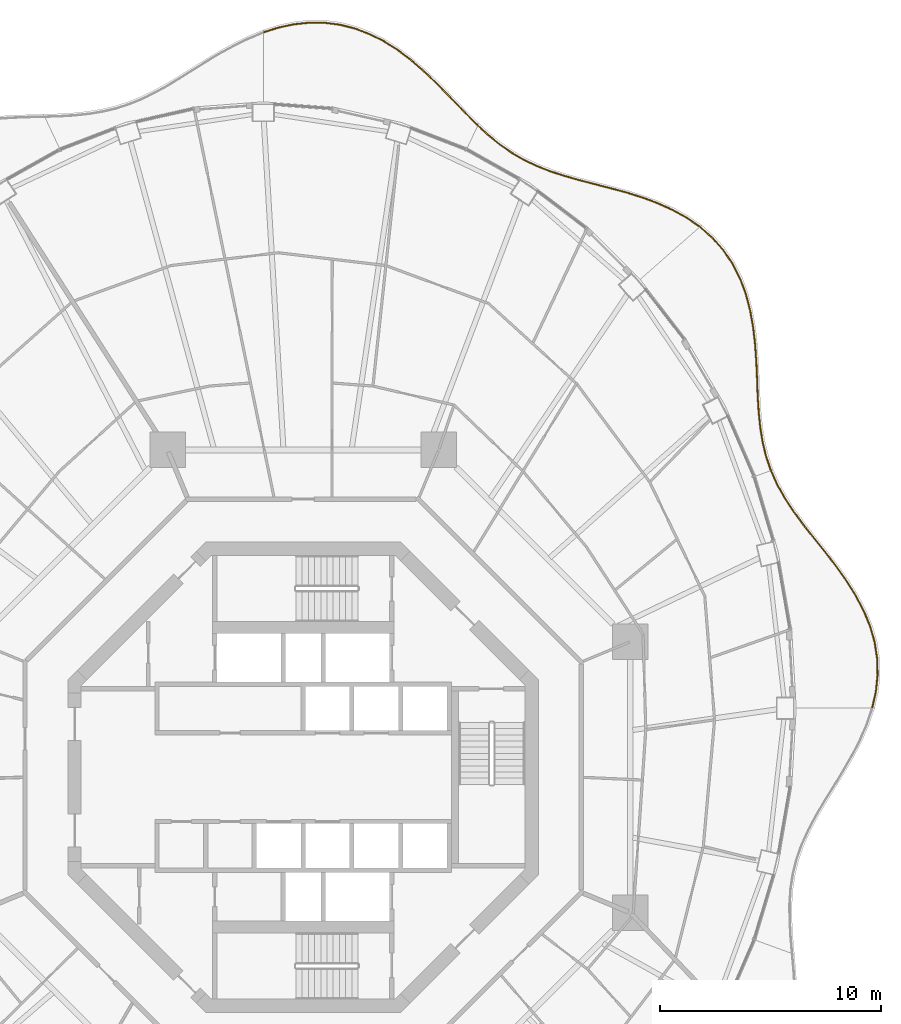
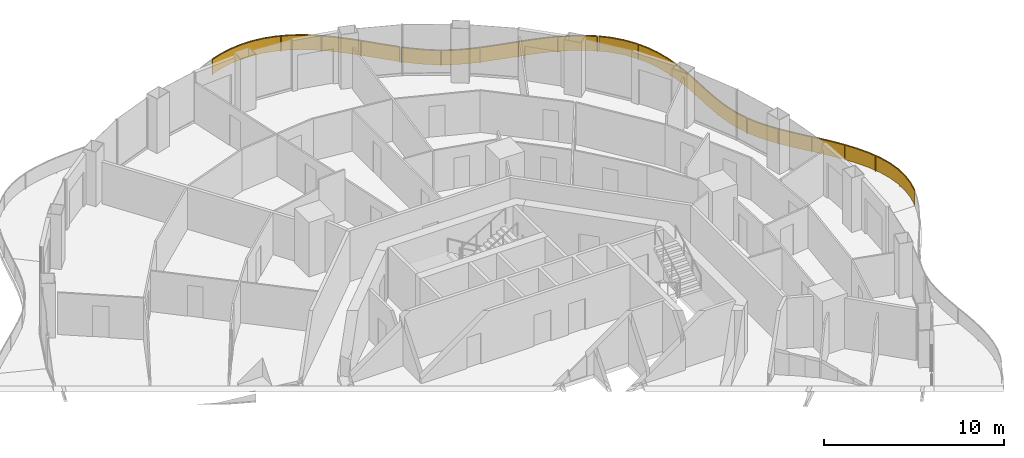
# One storey, part 18 of 18: 4 railings.
"""IFC4 building model written with IfcOpenShell, lengths in metres."""

from ifc_helpers import new_model, si_unit, direction, frame, origin, origin_2d, place, context, subcontext, project, spatial, polyline, rectangle, outline, extrude, material, type_object, element, save


model = new_model("IFC4")

# Units and contexts
model_context = context("Model", 3, precision=1e-05, world=origin(), true_north=direction((0.0, 1.0)))
body_context = subcontext(model_context, "Body", "Model", "MODEL_VIEW")
ifc_project = project(units=[si_unit("LENGTHUNIT", "METRE"), si_unit("AREAUNIT", "SQUARE_METRE"), si_unit("VOLUMEUNIT", "CUBIC_METRE"), si_unit("PLANEANGLEUNIT", "RADIAN"), si_unit("MASSUNIT", "GRAM", prefix="KILO")], contexts=[model_context])

# Site, building, storey
site_placement = place(None, origin())
site = spatial("IfcSite", under=ifc_project, at=site_placement, CompositionType="ELEMENT")
building_placement = place(site_placement, origin())
building = spatial("IfcBuilding", under=site, at=building_placement, Name="Nagisa Residences", CompositionType="ELEMENT")
storey_placement = place(building_placement, frame((0.0, 0.0, 238.10009765625)))
storey = spatial("IfcBuildingStorey", under=building, at=storey_placement, Name="L60", CompositionType="ELEMENT", Elevation=238.10009765625)

# Railings
ifc_material = material(Name="Stainless steel 316", Category="steel")
railing_type = type_object("IfcRailingType", Name="BALCONY GUARD 1100", PredefinedType="BALUSTRADE", material=ifc_material)
railing_1_placement = place(storey_placement, frame((25.706787109375, 3.155517578125, 0.0)))
element("IfcRailing", 1, at=railing_1_placement, inside=storey, type_object=railing_type, Name="guard:L60:bal00-0", PredefinedType="BALUSTRADE", context=body_context, shape_type="SweptSolid", body=[
    extrude(outline(polyline([(0.135009765625, 0.707763671875), (-0.0244140625, 0.005615234375), (0.0244140625, -0.005615234375), (0.184326171875, 0.699462890625), (0.262451171875, 1.454833984375), (0.24365234375, 2.208984375), (0.127197265625, 2.955810546875), (-0.0830078125, 3.690673828125), (-0.376953125, 4.394287109375), (-0.746337890625, 5.091552734375), (-1.173583984375, 5.76708984375), (-1.64111328125, 6.4208984375), (-2.13037109375, 7.05517578125), (-2.61865234375, 7.658935546875), (-3.093994140625, 8.265380859375), (-3.537353515625, 8.866943359375), (-3.935302734375, 9.469970703125), (-4.278076171875, 10.082275390625), (-4.5439453125, 10.67333984375), (-4.58935546875, 10.65283203125), (-4.322998046875, 10.059814453125), (-3.978271484375, 9.444091796875), (-3.578369140625, 8.838134765625), (-3.134033203125, 8.235107421875), (-2.65771484375, 7.627685546875), (-2.16943359375, 7.02392578125), (-1.68115234375, 6.39111328125), (-1.215087890625, 5.7392578125), (-0.789794921875, 5.066650390625), (-0.42236328125, 4.372802734375), (-0.13037109375, 3.674072265625), (0.078369140625, 2.945068359375), (0.19384765625, 2.20458984375), (0.212158203125, 1.456787109375), (0.135009765625, 0.707763671875)])), frame((0.0, 0.0, 1.050048828125)), (0.0, 0.0, 1.0), 0.050048828125),
    extrude(outline(polyline([(0.15283203125, 0.704833984375), (-0.0068359375, 0.00146484375), (0.0068359375, -0.00146484375), (0.16650390625, 0.702392578125), (0.244384765625, 1.45556640625), (0.225830078125, 2.20751953125), (0.109619140625, 2.951904296875), (-0.10009765625, 3.684814453125), (-0.393310546875, 4.386474609375), (-0.761962890625, 5.08251953125), (-1.1884765625, 5.757080078125), (-1.655517578125, 6.41015625), (-2.144287109375, 7.0439453125), (-2.6328125, 7.647705078125), (-3.1083984375, 8.25439453125), (-3.552001953125, 8.8564453125), (-3.95068359375, 9.460693359375), (-4.294189453125, 10.07421875), (-4.560302734375, 10.666015625), (-4.572998046875, 10.66015625), (-4.306884765625, 10.06787109375), (-3.962890625, 9.453369140625), (-3.563720703125, 8.8486328125), (-3.11962890625, 8.24609375), (-2.6435546875, 7.638916015625), (-2.155517578125, 7.03515625), (-1.666748046875, 6.40185546875), (-1.2001953125, 5.749267578125), (-0.774169921875, 5.07568359375), (-0.406005859375, 4.380615234375), (-0.11328125, 3.679931640625), (0.095947265625, 2.948974609375), (0.211669921875, 2.2060546875), (0.230224609375, 1.4560546875), (0.15283203125, 0.704833984375)])), frame((0.0, 0.0, 0.06005859375)), (0.0, 0.0, 1.0), 0.989990234375),
    extrude(rectangle(XDim=0.0400390625, YDim=0.0400390625, at=origin_2d()), origin(), (0.0, 0.0, 1.0), 1.050048828125),
    extrude(rectangle(XDim=0.0400390625, YDim=0.0400390625, at=origin_2d()), frame((0.22412109375, 1.988525390625, 0.0)), (0.0, 0.0, 1.0), 1.050048828125),
    extrude(rectangle(XDim=0.0400390625, YDim=0.0400390625, at=origin_2d()), frame((-0.2138671875, 3.93896484375, 0.0)), (0.0, 0.0, 1.0), 1.050048828125),
    extrude(rectangle(XDim=0.0400390625, YDim=0.0400390625, at=origin_2d()), frame((-1.16455078125, 5.7060546875, 0.0)), (0.0, 0.0, 1.0), 1.050048828125),
    extrude(rectangle(XDim=0.0400390625, YDim=0.0400390625, at=origin_2d()), frame((-2.37109375, 7.313232421875, 0.0)), (0.0, 0.0, 1.0), 1.050048828125),
    extrude(rectangle(XDim=0.0400390625, YDim=0.0400390625, at=origin_2d()), frame((-3.594482421875, 8.907958984375, 0.0)), (0.0, 0.0, 1.0), 1.050048828125),
    extrude(rectangle(XDim=0.0400390625, YDim=0.0400390625, at=origin_2d()), frame((-4.566650390625, 10.6630859375, 0.0)), (0.0, 0.0, 1.0), 1.050048828125),
])
railing_2_placement = place(storey_placement, frame((21.11474609375, 13.88232421875, 0.0)))
element("IfcRailing", 2, at=railing_2_placement, inside=storey, type_object=railing_type, Name="guard:L60:bal01-0", PredefinedType="BALUSTRADE", context=body_context, shape_type="SweptSolid", body=[
    extrude(outline(polyline([(-0.225830078125, 0.5849609375), (-0.023681640625, -0.008056640625), (0.023681640625, 0.008056640625), (-0.177490234375, 0.59912109375), (-0.33642578125, 1.2529296875), (-0.446533203125, 1.93408203125), (-0.517822265625, 2.642578125), (-0.562255859375, 3.377197265625), (-0.587646484375, 4.12060546875), (-0.623291015625, 4.89306640625), (-0.67822265625, 5.673095703125), (-0.76806640625, 6.4521484375), (-0.90625, 7.21923828125), (-1.096923828125, 7.9521484375), (-1.364013671875, 8.662353515625), (-1.70654296875, 9.330322265625), (-2.125732421875, 9.94677734375), (-2.6201171875, 10.5048828125), (-3.1494140625, 10.96875), (-3.1826171875, 10.93115234375), (-2.6552734375, 10.46923828125), (-2.165283203125, 9.916015625), (-1.74951171875, 9.304931640625), (-1.409912109375, 8.641845703125), (-1.144775390625, 7.93701171875), (-0.955078125, 7.20849609375), (-0.8173828125, 6.44482421875), (-0.72802734375, 5.668701171875), (-0.673095703125, 4.89013671875), (-0.637451171875, 4.11865234375), (-0.612060546875, 3.374755859375), (-0.567626953125, 2.638671875), (-0.496337890625, 1.927734375), (-0.3857421875, 1.2431640625), (-0.225830078125, 0.5849609375)])), frame((0.0, 0.0, 1.050048828125)), (0.0, 0.0, 1.0), 0.050048828125),
    extrude(outline(polyline([(-0.20849609375, 0.590087890625), (-0.006591796875, -0.002197265625), (0.006591796875, 0.002197265625), (-0.19482421875, 0.593994140625), (-0.354248046875, 1.24951171875), (-0.464599609375, 1.931884765625), (-0.53564453125, 2.64111328125), (-0.580078125, 3.376220703125), (-0.60546875, 4.119873046875), (-0.64111328125, 4.89208984375), (-0.696044921875, 5.671630859375), (-0.785888671875, 6.449462890625), (-0.923828125, 7.21533203125), (-1.1142578125, 7.94677734375), (-1.380615234375, 8.655029296875), (-1.721923828125, 9.3212890625), (-2.139892578125, 9.935791015625), (-2.6328125, 10.491943359375), (-3.161376953125, 10.955322265625), (-3.170654296875, 10.944580078125), (-2.642578125, 10.482177734375), (-2.151123046875, 9.927001953125), (-1.734130859375, 9.31396484375), (-1.393310546875, 8.649169921875), (-1.12744140625, 7.9423828125), (-0.9375, 7.21240234375), (-0.799560546875, 6.447509765625), (-0.710205078125, 5.670166015625), (-0.6552734375, 4.89111328125), (-0.61962890625, 4.119384765625), (-0.59423828125, 3.375732421875), (-0.5498046875, 2.64013671875), (-0.478271484375, 1.929931640625), (-0.367919921875, 1.24658203125), (-0.20849609375, 0.590087890625)])), frame((0.0, 0.0, 0.06005859375)), (0.0, 0.0, 1.0), 0.989990234375),
    extrude(rectangle(XDim=0.0400390625, YDim=0.0400390625, at=origin_2d()), origin(), (0.0, 0.0, 1.0), 1.050048828125),
    extrude(rectangle(XDim=0.0400390625, YDim=0.0400390625, at=origin_2d()), frame((-0.507080078125, 2.2861328125, 0.0)), (0.0, 0.0, 1.0), 1.050048828125),
    extrude(rectangle(XDim=0.0400390625, YDim=0.0400390625, at=origin_2d()), frame((-0.63623046875, 4.63134765625, 0.0)), (0.0, 0.0, 1.0), 1.050048828125),
    extrude(rectangle(XDim=0.0400390625, YDim=0.0400390625, at=origin_2d()), frame((-0.8857421875, 6.965087890625, 0.0)), (0.0, 0.0, 1.0), 1.050048828125),
    extrude(rectangle(XDim=0.0400390625, YDim=0.0400390625, at=origin_2d()), frame((-1.654052734375, 9.173095703125, 0.0)), (0.0, 0.0, 1.0), 1.050048828125),
    extrude(rectangle(XDim=0.0400390625, YDim=0.0400390625, at=origin_2d()), frame((-3.166015625, 10.949951171875, 0.0)), (0.0, 0.0, 1.0), 1.050048828125),
])
railing_3_placement = place(storey_placement, frame((17.8876953125, 24.879638671875, 0.0)))
element("IfcRailing", 3, at=railing_3_placement, inside=storey, type_object=railing_type, Name="guard:L60:bal02-0", PredefinedType="BALUSTRADE", context=body_context, shape_type="SweptSolid", body=[
    extrude(outline(polyline([(-0.56982421875, 0.36376953125), (-0.01416015625, -0.0205078125), (0.01416015625, 0.0205078125), (-0.54345703125, 0.40625), (-1.186767578125, 0.764892578125), (-1.86669921875, 1.07177734375), (-2.572265625, 1.333740234375), (-3.291259765625, 1.55908203125), (-4.00048828125, 1.748046875), (-4.71337890625, 1.932373046875), (-5.409423828125, 2.114013671875), (-6.0810546875, 2.30419921875), (-6.72412109375, 2.514892578125), (-7.321533203125, 2.745849609375), (-7.90185546875, 3.02392578125), (-8.45361328125, 3.3447265625), (-8.980712890625, 3.712158203125), (-9.489990234375, 4.125), (-9.955078125, 4.55126953125), (-9.98876953125, 4.51416015625), (-9.522705078125, 4.0869140625), (-9.010986328125, 3.672119140625), (-8.48046875, 3.302734375), (-7.92529296875, 2.9794921875), (-7.341552734375, 2.699951171875), (-6.74072265625, 2.467529296875), (-6.095703125, 2.25634765625), (-5.422607421875, 2.065673828125), (-4.72607421875, 1.884033203125), (-4.01318359375, 1.69970703125), (-3.305419921875, 1.51123046875), (-2.58837890625, 1.286376953125), (-1.8857421875, 1.025390625), (-1.209228515625, 0.719970703125), (-0.56982421875, 0.36376953125)])), frame((0.0, 0.0, 1.050048828125)), (0.0, 0.0, 1.0), 0.050048828125),
    extrude(outline(polyline([(-0.560302734375, 0.379150390625), (-0.00390625, -0.005859375), (0.00390625, 0.005859375), (-0.552978515625, 0.390869140625), (-1.19482421875, 0.748779296875), (-1.87353515625, 1.05517578125), (-2.578125, 1.316650390625), (-3.29638671875, 1.5419921875), (-4.005126953125, 1.730712890625), (-4.718017578125, 1.9150390625), (-5.4140625, 2.0966796875), (-6.08642578125, 2.286865234375), (-6.72998046875, 2.497802734375), (-7.328857421875, 2.729248046875), (-7.910400390625, 3.0078125), (-8.46337890625, 3.32958984375), (-8.99169921875, 3.69775390625), (-9.501708984375, 4.111328125), (-9.96728515625, 4.537841796875), (-9.9765625, 4.527587890625), (-9.510986328125, 4.1005859375), (-9.0, 3.6865234375), (-8.470703125, 3.31787109375), (-7.916748046875, 2.99560546875), (-7.334228515625, 2.716552734375), (-6.73486328125, 2.484619140625), (-6.09033203125, 2.273681640625), (-5.41796875, 2.0830078125), (-4.721435546875, 1.9013671875), (-4.008544921875, 1.717041015625), (-3.30029296875, 1.5283203125), (-2.58251953125, 1.303466796875), (-1.87890625, 1.0419921875), (-1.201171875, 0.736083984375), (-0.560302734375, 0.379150390625)])), frame((0.0, 0.0, 0.06005859375)), (0.0, 0.0, 1.0), 0.989990234375),
    extrude(rectangle(XDim=0.0400390625, YDim=0.0400390625, at=origin_2d()), origin(), (0.0, 0.0, 1.0), 1.050048828125),
    extrude(rectangle(XDim=0.0400390625, YDim=0.0400390625, at=origin_2d()), frame((-1.934326171875, 1.070068359375, 0.0)), (0.0, 0.0, 1.0), 1.050048828125),
    extrude(rectangle(XDim=0.0400390625, YDim=0.0400390625, at=origin_2d()), frame((-4.0478515625, 1.734375, 0.0)), (0.0, 0.0, 1.0), 1.050048828125),
    extrude(rectangle(XDim=0.0400390625, YDim=0.0400390625, at=origin_2d()), frame((-6.18798828125, 2.31298828125, 0.0)), (0.0, 0.0, 1.0), 1.050048828125),
    extrude(rectangle(XDim=0.0400390625, YDim=0.0400390625, at=origin_2d()), frame((-8.2216796875, 3.180908203125, 0.0)), (0.0, 0.0, 1.0), 1.050048828125),
    extrude(rectangle(XDim=0.0400390625, YDim=0.0400390625, at=origin_2d()), frame((-9.971923828125, 4.53271484375, 0.0)), (0.0, 0.0, 1.0), 1.050048828125),
])
railing_4_placement = place(storey_placement, frame((7.864501953125, 29.46435546875, 0.0)))
element("IfcRailing", 4, at=railing_4_placement, inside=storey, type_object=railing_type, Name="guard:L60:bal03-0", PredefinedType="BALUSTRADE", context=body_context, shape_type="SweptSolid", body=[
    extrude(outline(polyline([(-0.462890625, 0.425537109375), (-0.017578125, -0.017822265625), (0.017578125, 0.017822265625), (-0.42724609375, 0.460693359375), (-0.908935546875, 0.9580078125), (-1.40234375, 1.469970703125), (-1.912841796875, 1.984130859375), (-2.44580078125, 2.487060546875), (-2.98779296875, 2.96044921875), (-3.574951171875, 3.400390625), (-4.18994140625, 3.7890625), (-4.83203125, 4.115234375), (-5.498046875, 4.369384765625), (-6.16796875, 4.542236328125), (-6.865478515625, 4.634033203125), (-7.572998046875, 4.642578125), (-8.281982421875, 4.56884765625), (-8.98681640625, 4.418701171875), (-9.63525390625, 4.2119140625), (-9.6201171875, 4.1640625), (-8.97412109375, 4.370361328125), (-8.274169921875, 4.51953125), (-7.570556640625, 4.59228515625), (-6.868896484375, 4.584228515625), (-6.177734375, 4.492919921875), (-5.51318359375, 4.321533203125), (-4.8525390625, 4.0693359375), (-4.21484375, 3.74560546875), (-3.603271484375, 3.359375), (-3.01953125, 2.92138671875), (-2.4794921875, 2.449951171875), (-1.947998046875, 1.948486328125), (-1.43798828125, 1.434814453125), (-0.945068359375, 0.92333984375), (-0.462890625, 0.425537109375)])), frame((0.0, 0.0, 1.050048828125)), (0.0, 0.0, 1.0), 0.050048828125),
    extrude(outline(polyline([(-0.449951171875, 0.438232421875), (-0.0048828125, -0.0048828125), (0.0048828125, 0.0048828125), (-0.440185546875, 0.447998046875), (-0.921875, 0.945556640625), (-1.415283203125, 1.457275390625), (-1.925537109375, 1.971435546875), (-2.4580078125, 2.4736328125), (-2.999267578125, 2.9462890625), (-3.585205078125, 3.3857421875), (-4.198974609375, 3.7734375), (-4.83935546875, 4.0986328125), (-5.50341796875, 4.35205078125), (-6.171630859375, 4.5244140625), (-6.86669921875, 4.6162109375), (-7.572021484375, 4.62451171875), (-8.279052734375, 4.551025390625), (-8.982177734375, 4.4013671875), (-9.6298828125, 4.194580078125), (-9.62548828125, 4.181396484375), (-8.978759765625, 4.3876953125), (-8.277099609375, 4.537353515625), (-7.571533203125, 4.6103515625), (-6.86767578125, 4.60205078125), (-6.174072265625, 4.5107421875), (-5.5078125, 4.3388671875), (-4.84521484375, 4.0859375), (-4.205810546875, 3.76123046875), (-3.593017578125, 3.3740234375), (-3.008056640625, 2.935546875), (-2.46728515625, 2.46337890625), (-1.935302734375, 1.961181640625), (-1.425048828125, 1.447509765625), (-0.93212890625, 0.935791015625), (-0.449951171875, 0.438232421875)])), frame((0.0, 0.0, 0.06005859375)), (0.0, 0.0, 1.0), 0.989990234375),
    extrude(rectangle(XDim=0.0400390625, YDim=0.0400390625, at=origin_2d()), origin(), (0.0, 0.0, 1.0), 1.050048828125),
    extrude(rectangle(XDim=0.0400390625, YDim=0.0400390625, at=origin_2d()), frame((-1.580078125, 1.613525390625, 0.0)), (0.0, 0.0, 1.0), 1.050048828125),
    extrude(rectangle(XDim=0.0400390625, YDim=0.0400390625, at=origin_2d()), frame((-3.252685546875, 3.127685546875, 0.0)), (0.0, 0.0, 1.0), 1.050048828125),
    extrude(rectangle(XDim=0.0400390625, YDim=0.0400390625, at=origin_2d()), frame((-5.211181640625, 4.233154296875, 0.0)), (0.0, 0.0, 1.0), 1.050048828125),
    extrude(rectangle(XDim=0.0400390625, YDim=0.0400390625, at=origin_2d()), frame((-7.4208984375, 4.61572265625, 0.0)), (0.0, 0.0, 1.0), 1.050048828125),
    extrude(rectangle(XDim=0.0400390625, YDim=0.0400390625, at=origin_2d()), frame((-9.627685546875, 4.18798828125, 0.0)), (0.0, 0.0, 1.0), 1.050048828125),
])

save(model, "model.ifc")
